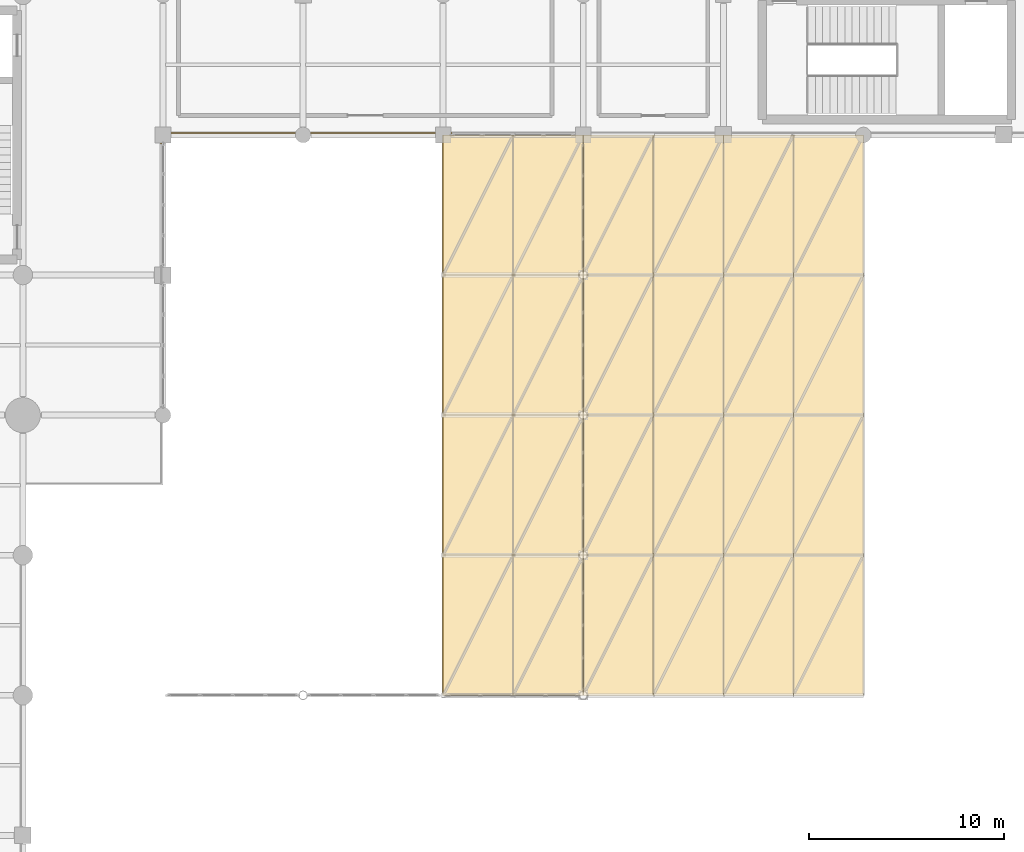
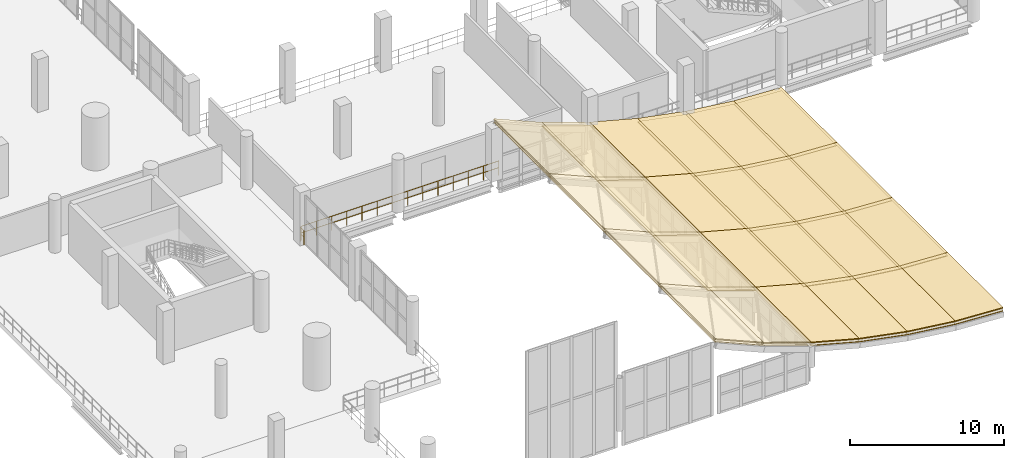
# One storey, part 150 of 153: 48 coverings, 1 railing.
"""IFC4 building model written with IfcOpenShell, lengths in metres."""

from ifc_helpers import new_model, si_unit, direction, frame, origin, origin_2d, place, context, subcontext, project, spatial, polyline, circle, outline, extrude, material, layer, layer_set, type_object, element, save


model = new_model("IFC4")

# Units and contexts
model_context = context("Model", 3, precision=1e-05, world=origin(), true_north=direction((0.0, 1.0)))
body_context = subcontext(model_context, "Body", "Model", "MODEL_VIEW")
ifc_project = project(units=[si_unit("LENGTHUNIT", "METRE"), si_unit("AREAUNIT", "SQUARE_METRE"), si_unit("VOLUMEUNIT", "CUBIC_METRE"), si_unit("PLANEANGLEUNIT", "RADIAN"), si_unit("MASSUNIT", "GRAM", prefix="KILO")], contexts=[model_context])

# Site, building, storey
site_placement = place(None, origin())
site = spatial("IfcSite", under=ifc_project, at=site_placement, CompositionType="ELEMENT")
building_placement = place(site_placement, origin())
building = spatial("IfcBuilding", under=site, at=building_placement, Name="Qandorah Velis Arena", CompositionType="ELEMENT")
storey_placement = place(building_placement, frame((0.0, 0.0, 5.39990234375)))
storey = spatial("IfcBuildingStorey", under=building, at=storey_placement, Name="L01", CompositionType="ELEMENT", Elevation=5.39990234375)

# Coverings
ifc_material_1 = material(Name="Glulam GL28h", Category="wood")
ifc_layer_1 = layer(ifc_material_1, 0.06494140625)
ifc_layer_set_1 = layer_set([ifc_layer_1], Name="Glulam GL28h")
covering_type_1 = type_object("IfcCoveringType", Name="ARC-COV-GLULAM", PredefinedType="CEILING", material=ifc_layer_set_1)
covering_1_placement = place(storey_placement, frame((136.800048828125, 14.39990234375, 4.451171875), z_axis=(0.395745125901, 0.0, 0.918360384231), x_axis=(0.918360384231, 0.0, -0.395745125901)))
element("IfcCovering", 1, at=covering_1_placement, inside=storey, type_object=covering_type_1, Name="Sweeping canopy Glulam GL28h acoustic soffit 1.07", PredefinedType="CEILING", context=body_context, shape_type="SweptSolid", body=[
    extrude(outline(polyline([(0.0, 0.0), (3.919870213736963, 0.0), (3.919870213736963, 7.2001953125), (0.0, 7.2001953125), (0.0, 0.0)])), origin(), (0.0, 0.0, -1.0), 0.06494140625),
])
covering_2_placement = place(storey_placement, frame((140.39990234375, 14.39990234375, 2.89990234375), z_axis=(0.327088553181, 0.0, 0.944993692242), x_axis=(0.944993692242, 0.0, -0.327088553181)))
element("IfcCovering", 2, at=covering_2_placement, inside=storey, type_object=covering_type_1, Name="Sweeping canopy Glulam GL28h acoustic soffit 1.08", PredefinedType="CEILING", context=body_context, shape_type="SweptSolid", body=[
    extrude(outline(polyline([(0.0, 0.0), (3.8096525784283544, 0.0), (3.8096525784283544, 7.200195312500002), (0.0, 7.200195312500002), (0.0, 0.0)])), origin(), (0.0, 0.0, -1.0), 0.06494140625),
])
covering_3_placement = place(storey_placement, frame((144.0, 14.39990234375, 1.65380859375), z_axis=(0.258441360862, 0.0, 0.966026947344), x_axis=(0.966026947344, 0.0, -0.258441360862)))
element("IfcCovering", 3, at=covering_3_placement, inside=storey, type_object=covering_type_1, Name="Sweeping canopy Glulam GL28h acoustic soffit 1.09", PredefinedType="CEILING", context=body_context, shape_type="SweptSolid", body=[
    extrude(outline(polyline([(0.0, 0.0), (3.726705208531025, 0.0), (3.726705208531025, 7.200195312500002), (0.0, 7.200195312500002), (0.0, 0.0)])), origin(), (0.0, 0.0, -1.0), 0.06494140625),
])
covering_4_placement = place(storey_placement, frame((147.60009765625, 14.39990234375, 0.690673828125), z_axis=(0.189901824186, 0.0, 0.981803084723), x_axis=(0.981803084723, 0.0, -0.189901824186)))
element("IfcCovering", 4, at=covering_4_placement, inside=storey, type_object=covering_type_1, Name="Sweeping canopy Glulam GL28h acoustic soffit 1.10", PredefinedType="CEILING", context=body_context, shape_type="SweptSolid", body=[
    extrude(outline(polyline([(0.0, 0.0), (3.6665738493196622, 0.0), (3.6665738493196622, 7.200195312500002), (0.0, 7.200195312500002), (0.0, 0.0)])), origin(), (0.0, 0.0, -1.0), 0.06494140625),
])
covering_5_placement = place(storey_placement, frame((151.199951171875, 14.39990234375, -0.005615234375), z_axis=(0.121233945212, 0.0, 0.992623962298), x_axis=(0.992623962298, 0.0, -0.121233945212)))
element("IfcCovering", 5, at=covering_5_placement, inside=storey, type_object=covering_type_1, Name="Sweeping canopy Glulam GL28h acoustic soffit 1.11", PredefinedType="CEILING", context=body_context, shape_type="SweptSolid", body=[
    extrude(outline(polyline([(0.0, 0.0), (3.6268494344175424, 0.0), (3.6268494344175424, 7.200195312500002), (0.0, 7.200195312500002), (0.0, 0.0)])), origin(), (0.0, 0.0, -1.0), 0.06494140625),
])
covering_6_placement = place(storey_placement, frame((154.800048828125, 14.39990234375, -0.4453125), z_axis=(0.0526228169, 0.0, 0.99861445971), x_axis=(0.99861445971, 0.0, -0.0526228169)))
element("IfcCovering", 6, at=covering_6_placement, inside=storey, type_object=covering_type_1, Name="Sweeping canopy Glulam GL28h acoustic soffit 1.12", PredefinedType="CEILING", context=body_context, shape_type="SweptSolid", body=[
    extrude(outline(polyline([(0.0, 0.0), (3.6048481780157227, 0.0), (3.6048481780157227, 7.2001953125), (0.0, 7.2001953125), (0.0, 0.0)])), origin(), (0.0, 0.0, -1.0), 0.06494140625),
])
covering_7_placement = place(storey_placement, frame((136.800048828125, 21.60009765625, 4.451171875), z_axis=(0.395745125901, 0.0, 0.918360384231), x_axis=(0.918360384231, 0.0, -0.395745125901)))
element("IfcCovering", 7, at=covering_7_placement, inside=storey, type_object=covering_type_1, Name="Sweeping canopy Glulam GL28h acoustic soffit 2.07", PredefinedType="CEILING", context=body_context, shape_type="SweptSolid", body=[
    extrude(outline(polyline([(0.0, 0.0), (3.919870213736963, 0.0), (3.919870213736963, 7.199951171875), (0.0, 7.199951171875), (0.0, 0.0)])), origin(), (0.0, 0.0, -1.0), 0.06494140625),
])
covering_8_placement = place(storey_placement, frame((140.39990234375, 21.60009765625, 2.89990234375), z_axis=(0.327088553181, 0.0, 0.944993692242), x_axis=(0.944993692242, 0.0, -0.327088553181)))
element("IfcCovering", 8, at=covering_8_placement, inside=storey, type_object=covering_type_1, Name="Sweeping canopy Glulam GL28h acoustic soffit 2.08", PredefinedType="CEILING", context=body_context, shape_type="SweptSolid", body=[
    extrude(outline(polyline([(0.0, 0.0), (3.8096525784283544, 0.0), (3.8096525784283544, 7.199951171875), (0.0, 7.199951171875), (0.0, 0.0)])), origin(), (0.0, 0.0, -1.0), 0.06494140625),
])
covering_9_placement = place(storey_placement, frame((144.0, 21.60009765625, 1.65380859375), z_axis=(0.258441360862, 0.0, 0.966026947344), x_axis=(0.966026947344, 0.0, -0.258441360862)))
element("IfcCovering", 9, at=covering_9_placement, inside=storey, type_object=covering_type_1, Name="Sweeping canopy Glulam GL28h acoustic soffit 2.09", PredefinedType="CEILING", context=body_context, shape_type="SweptSolid", body=[
    extrude(outline(polyline([(0.0, 0.0), (3.726705208531025, 0.0), (3.726705208531025, 7.199951171875), (0.0, 7.199951171875), (0.0, 0.0)])), origin(), (0.0, 0.0, -1.0), 0.06494140625),
])
covering_10_placement = place(storey_placement, frame((147.60009765625, 21.60009765625, 0.690673828125), z_axis=(0.189901824186, 0.0, 0.981803084723), x_axis=(0.981803084723, 0.0, -0.189901824186)))
element("IfcCovering", 10, at=covering_10_placement, inside=storey, type_object=covering_type_1, Name="Sweeping canopy Glulam GL28h acoustic soffit 2.10", PredefinedType="CEILING", context=body_context, shape_type="SweptSolid", body=[
    extrude(outline(polyline([(0.0, 0.0), (3.6665738493196622, 0.0), (3.6665738493196622, 7.199951171875), (0.0, 7.199951171875), (0.0, 0.0)])), origin(), (0.0, 0.0, -1.0), 0.06494140625),
])
covering_11_placement = place(storey_placement, frame((151.199951171875, 21.60009765625, -0.005615234375), z_axis=(0.121233945212, 0.0, 0.992623962298), x_axis=(0.992623962298, 0.0, -0.121233945212)))
element("IfcCovering", 11, at=covering_11_placement, inside=storey, type_object=covering_type_1, Name="Sweeping canopy Glulam GL28h acoustic soffit 2.11", PredefinedType="CEILING", context=body_context, shape_type="SweptSolid", body=[
    extrude(outline(polyline([(0.0, 0.0), (3.6268494344175424, 0.0), (3.6268494344175424, 7.199951171875), (0.0, 7.199951171875), (0.0, 0.0)])), origin(), (0.0, 0.0, -1.0), 0.06494140625),
])
covering_12_placement = place(storey_placement, frame((154.800048828125, 21.60009765625, -0.4453125), z_axis=(0.0526228169, 0.0, 0.99861445971), x_axis=(0.99861445971, 0.0, -0.0526228169)))
element("IfcCovering", 12, at=covering_12_placement, inside=storey, type_object=covering_type_1, Name="Sweeping canopy Glulam GL28h acoustic soffit 2.12", PredefinedType="CEILING", context=body_context, shape_type="SweptSolid", body=[
    extrude(outline(polyline([(0.0, 0.0), (3.6048481780157227, 0.0), (3.6048481780157227, 7.199951171874999), (0.0, 7.199951171874999), (0.0, 0.0)])), origin(), (0.0, 0.0, -1.0), 0.06494140625),
])
covering_13_placement = place(storey_placement, frame((136.800048828125, 28.800048828125, 4.451171875), z_axis=(0.395745125901, 0.0, 0.918360384231), x_axis=(0.918360384231, 0.0, -0.395745125901)))
element("IfcCovering", 13, at=covering_13_placement, inside=storey, type_object=covering_type_1, Name="Sweeping canopy Glulam GL28h acoustic soffit 3.07", PredefinedType="CEILING", context=body_context, shape_type="SweptSolid", body=[
    extrude(outline(polyline([(0.0, 0.0), (3.919870213736963, 0.0), (3.919870213736963, 7.199951171875), (0.0, 7.199951171875), (0.0, 0.0)])), origin(), (0.0, 0.0, -1.0), 0.06494140625),
])
covering_14_placement = place(storey_placement, frame((140.39990234375, 28.800048828125, 2.89990234375), z_axis=(0.327088553181, 0.0, 0.944993692242), x_axis=(0.944993692242, 0.0, -0.327088553181)))
element("IfcCovering", 14, at=covering_14_placement, inside=storey, type_object=covering_type_1, Name="Sweeping canopy Glulam GL28h acoustic soffit 3.08", PredefinedType="CEILING", context=body_context, shape_type="SweptSolid", body=[
    extrude(outline(polyline([(0.0, 0.0), (3.8096525784283544, 0.0), (3.8096525784283544, 7.199951171875), (0.0, 7.199951171875), (0.0, 0.0)])), origin(), (0.0, 0.0, -1.0), 0.06494140625),
])
covering_15_placement = place(storey_placement, frame((144.0, 28.800048828125, 1.65380859375), z_axis=(0.258441360862, 0.0, 0.966026947344), x_axis=(0.966026947344, 0.0, -0.258441360862)))
element("IfcCovering", 15, at=covering_15_placement, inside=storey, type_object=covering_type_1, Name="Sweeping canopy Glulam GL28h acoustic soffit 3.09", PredefinedType="CEILING", context=body_context, shape_type="SweptSolid", body=[
    extrude(outline(polyline([(0.0, 0.0), (3.726705208531025, 0.0), (3.726705208531025, 7.199951171875), (0.0, 7.199951171875), (0.0, 0.0)])), origin(), (0.0, 0.0, -1.0), 0.06494140625),
])
covering_16_placement = place(storey_placement, frame((147.60009765625, 28.800048828125, 0.690673828125), z_axis=(0.189901824186, 0.0, 0.981803084723), x_axis=(0.981803084723, 0.0, -0.189901824186)))
element("IfcCovering", 16, at=covering_16_placement, inside=storey, type_object=covering_type_1, Name="Sweeping canopy Glulam GL28h acoustic soffit 3.10", PredefinedType="CEILING", context=body_context, shape_type="SweptSolid", body=[
    extrude(outline(polyline([(0.0, 0.0), (3.6665738493196622, 0.0), (3.6665738493196622, 7.199951171875), (0.0, 7.199951171875), (0.0, 0.0)])), origin(), (0.0, 0.0, -1.0), 0.06494140625),
])
covering_17_placement = place(storey_placement, frame((151.199951171875, 28.800048828125, -0.005615234375), z_axis=(0.121233945212, 0.0, 0.992623962298), x_axis=(0.992623962298, 0.0, -0.121233945212)))
element("IfcCovering", 17, at=covering_17_placement, inside=storey, type_object=covering_type_1, Name="Sweeping canopy Glulam GL28h acoustic soffit 3.11", PredefinedType="CEILING", context=body_context, shape_type="SweptSolid", body=[
    extrude(outline(polyline([(0.0, 0.0), (3.6268494344175424, 0.0), (3.6268494344175424, 7.199951171875), (0.0, 7.199951171875), (0.0, 0.0)])), origin(), (0.0, 0.0, -1.0), 0.06494140625),
])
covering_18_placement = place(storey_placement, frame((154.800048828125, 28.800048828125, -0.4453125), z_axis=(0.0526228169, 0.0, 0.99861445971), x_axis=(0.99861445971, 0.0, -0.0526228169)))
element("IfcCovering", 18, at=covering_18_placement, inside=storey, type_object=covering_type_1, Name="Sweeping canopy Glulam GL28h acoustic soffit 3.12", PredefinedType="CEILING", context=body_context, shape_type="SweptSolid", body=[
    extrude(outline(polyline([(0.0, 0.0), (3.6048481780157227, 0.0), (3.6048481780157227, 7.199951171874999), (0.0, 7.199951171874999), (0.0, 0.0)])), origin(), (0.0, 0.0, -1.0), 0.06494140625),
])
covering_19_placement = place(storey_placement, frame((136.800048828125, 36.0, 4.451171875), z_axis=(0.395745125901, 0.0, 0.918360384231), x_axis=(0.918360384231, 0.0, -0.395745125901)))
element("IfcCovering", 19, at=covering_19_placement, inside=storey, type_object=covering_type_1, Name="Sweeping canopy Glulam GL28h acoustic soffit 4.07", PredefinedType="CEILING", context=body_context, shape_type="SweptSolid", body=[
    extrude(outline(polyline([(0.0, 0.0), (3.919870213736963, 0.0), (3.919870213736963, 7.199951171875), (0.0, 7.199951171875), (0.0, 0.0)])), origin(), (0.0, 0.0, -1.0), 0.06494140625),
])
covering_20_placement = place(storey_placement, frame((140.39990234375, 36.0, 2.89990234375), z_axis=(0.327088553181, 0.0, 0.944993692242), x_axis=(0.944993692242, 0.0, -0.327088553181)))
element("IfcCovering", 20, at=covering_20_placement, inside=storey, type_object=covering_type_1, Name="Sweeping canopy Glulam GL28h acoustic soffit 4.08", PredefinedType="CEILING", context=body_context, shape_type="SweptSolid", body=[
    extrude(outline(polyline([(0.0, 0.0), (3.8096525784283544, 0.0), (3.8096525784283544, 7.199951171875), (0.0, 7.199951171875), (0.0, 0.0)])), origin(), (0.0, 0.0, -1.0), 0.06494140625),
])
covering_21_placement = place(storey_placement, frame((144.0, 36.0, 1.65380859375), z_axis=(0.258441360862, 0.0, 0.966026947344), x_axis=(0.966026947344, 0.0, -0.258441360862)))
element("IfcCovering", 21, at=covering_21_placement, inside=storey, type_object=covering_type_1, Name="Sweeping canopy Glulam GL28h acoustic soffit 4.09", PredefinedType="CEILING", context=body_context, shape_type="SweptSolid", body=[
    extrude(outline(polyline([(0.0, 0.0), (3.726705208531025, 0.0), (3.726705208531025, 7.199951171875), (0.0, 7.199951171875), (0.0, 0.0)])), origin(), (0.0, 0.0, -1.0), 0.06494140625),
])
covering_22_placement = place(storey_placement, frame((147.60009765625, 36.0, 0.690673828125), z_axis=(0.189901824186, 0.0, 0.981803084723), x_axis=(0.981803084723, 0.0, -0.189901824186)))
element("IfcCovering", 22, at=covering_22_placement, inside=storey, type_object=covering_type_1, Name="Sweeping canopy Glulam GL28h acoustic soffit 4.10", PredefinedType="CEILING", context=body_context, shape_type="SweptSolid", body=[
    extrude(outline(polyline([(0.0, 0.0), (3.6665738493196622, 0.0), (3.6665738493196622, 7.199951171875), (0.0, 7.199951171875), (0.0, 0.0)])), origin(), (0.0, 0.0, -1.0), 0.06494140625),
])
covering_23_placement = place(storey_placement, frame((151.199951171875, 36.0, -0.005615234375), z_axis=(0.121233945212, 0.0, 0.992623962298), x_axis=(0.992623962298, 0.0, -0.121233945212)))
element("IfcCovering", 23, at=covering_23_placement, inside=storey, type_object=covering_type_1, Name="Sweeping canopy Glulam GL28h acoustic soffit 4.11", PredefinedType="CEILING", context=body_context, shape_type="SweptSolid", body=[
    extrude(outline(polyline([(0.0, 0.0), (3.6268494344175424, 0.0), (3.6268494344175424, 7.199951171875), (0.0, 7.199951171875), (0.0, 0.0)])), origin(), (0.0, 0.0, -1.0), 0.06494140625),
])
covering_24_placement = place(storey_placement, frame((154.800048828125, 36.0, -0.4453125), z_axis=(0.0526228169, 0.0, 0.99861445971), x_axis=(0.99861445971, 0.0, -0.0526228169)))
element("IfcCovering", 24, at=covering_24_placement, inside=storey, type_object=covering_type_1, Name="Sweeping canopy Glulam GL28h acoustic soffit 4.12", PredefinedType="CEILING", context=body_context, shape_type="SweptSolid", body=[
    extrude(outline(polyline([(0.0, 0.0), (3.6048481780157227, 0.0), (3.6048481780157227, 7.199951171874999), (0.0, 7.199951171874999), (0.0, 0.0)])), origin(), (0.0, 0.0, -1.0), 0.06494140625),
])
ifc_material_2 = material(Name="Insulated high-albedo standing-seam aluminium roofing", Category="aluminium")
ifc_layer_2 = layer(ifc_material_2, 0.080078125)
ifc_layer_set_2 = layer_set([ifc_layer_2], Name="Insulated high-albedo standing-seam aluminium roofing")
covering_type_2 = type_object("IfcCoveringType", Name="ARC-COV-ROOF", PredefinedType="ROOFING", material=ifc_layer_set_2)
covering_25_placement = place(storey_placement, frame((136.800048828125, 14.39990234375, 4.696044921875), z_axis=(0.395692595501, 0.0, 0.918383019151), x_axis=(0.918383019151, 0.0, -0.395692595501)))
element("IfcCovering", 25, at=covering_25_placement, inside=storey, type_object=covering_type_2, Name="Sweeping canopy standing-seam roof 1.07", PredefinedType="ROOFING", context=body_context, shape_type="SweptSolid", body=[
    extrude(outline(polyline([(0.0, 0.0), (3.9197736026869086, 0.0), (3.9197736026869086, 7.200195312500002), (0.0, 7.200195312500002), (0.0, 0.0)])), origin(), (0.0, 0.0, -1.0), 0.074951171875),
])
covering_26_placement = place(storey_placement, frame((140.39990234375, 14.39990234375, 3.14501953125), z_axis=(0.327145779899, 0.0, 0.944973882546), x_axis=(0.944973882546, 0.0, -0.327145779899)))
element("IfcCovering", 26, at=covering_26_placement, inside=storey, type_object=covering_type_2, Name="Sweeping canopy standing-seam roof 1.08", PredefinedType="ROOFING", context=body_context, shape_type="SweptSolid", body=[
    extrude(outline(polyline([(0.0, 0.0), (3.809732441017915, 0.0), (3.809732441017915, 7.2001953125), (0.0, 7.2001953125), (0.0, 0.0)])), origin(), (0.0, 0.0, -1.0), 0.074951171875),
])
covering_27_placement = place(storey_placement, frame((144.0, 14.39990234375, 1.898681640625), z_axis=(0.258441360862, 0.0, 0.966026947344), x_axis=(0.966026947344, 0.0, -0.258441360862)))
element("IfcCovering", 27, at=covering_27_placement, inside=storey, type_object=covering_type_2, Name="Sweeping canopy standing-seam roof 1.09", PredefinedType="ROOFING", context=body_context, shape_type="SweptSolid", body=[
    extrude(outline(polyline([(0.0, 0.0), (3.726705208531025, 0.0), (3.726705208531025, 7.200195312500002), (0.0, 7.200195312500002), (0.0, 0.0)])), origin(), (0.0, 0.0, -1.0), 0.074951171875),
])
covering_28_placement = place(storey_placement, frame((147.60009765625, 14.39990234375, 0.935546875), z_axis=(0.18983763873, 0.0, 0.981815497393), x_axis=(0.981815497393, 0.0, -0.18983763873)))
element("IfcCovering", 28, at=covering_28_placement, inside=storey, type_object=covering_type_2, Name="Sweeping canopy standing-seam roof 1.10", PredefinedType="ROOFING", context=body_context, shape_type="SweptSolid", body=[
    extrude(outline(polyline([(0.0, 0.0), (3.666527494404706, 0.0), (3.666527494404706, 7.2001953125), (0.0, 7.2001953125), (0.0, 0.0)])), origin(), (0.0, 0.0, -1.0), 0.074951171875),
])
covering_29_placement = place(storey_placement, frame((151.199951171875, 14.39990234375, 0.239501953125), z_axis=(0.121233945212, 0.0, 0.992623962298), x_axis=(0.992623962298, 0.0, -0.121233945212)))
element("IfcCovering", 29, at=covering_29_placement, inside=storey, type_object=covering_type_2, Name="Sweeping canopy standing-seam roof 1.11", PredefinedType="ROOFING", context=body_context, shape_type="SweptSolid", body=[
    extrude(outline(polyline([(0.0, 0.0), (3.6268494344175424, 0.0), (3.6268494344175424, 7.200195312500002), (0.0, 7.200195312500002), (0.0, 0.0)])), origin(), (0.0, 0.0, -1.0), 0.074951171875),
])
covering_30_placement = place(storey_placement, frame((154.800048828125, 14.39990234375, -0.2001953125), z_axis=(0.0526228169, 0.0, 0.99861445971), x_axis=(0.99861445971, 0.0, -0.0526228169)))
element("IfcCovering", 30, at=covering_30_placement, inside=storey, type_object=covering_type_2, Name="Sweeping canopy standing-seam roof 1.12", PredefinedType="ROOFING", context=body_context, shape_type="SweptSolid", body=[
    extrude(outline(polyline([(0.0, 0.0), (3.6048481780157227, 0.0), (3.6048481780157227, 7.2001953125), (0.0, 7.2001953125), (0.0, 0.0)])), origin(), (0.0, 0.0, -1.0), 0.074951171875),
])
covering_31_placement = place(storey_placement, frame((136.800048828125, 21.60009765625, 4.696044921875), z_axis=(0.395692595501, 0.0, 0.918383019151), x_axis=(0.918383019151, 0.0, -0.395692595501)))
element("IfcCovering", 31, at=covering_31_placement, inside=storey, type_object=covering_type_2, Name="Sweeping canopy standing-seam roof 2.07", PredefinedType="ROOFING", context=body_context, shape_type="SweptSolid", body=[
    extrude(outline(polyline([(0.0, 0.0), (3.9197736026869086, 0.0), (3.9197736026869086, 7.199951171875), (0.0, 7.199951171875), (0.0, 0.0)])), origin(), (0.0, 0.0, -1.0), 0.074951171875),
])
covering_32_placement = place(storey_placement, frame((140.39990234375, 21.60009765625, 3.14501953125), z_axis=(0.327145779899, 0.0, 0.944973882546), x_axis=(0.944973882546, 0.0, -0.327145779899)))
element("IfcCovering", 32, at=covering_32_placement, inside=storey, type_object=covering_type_2, Name="Sweeping canopy standing-seam roof 2.08", PredefinedType="ROOFING", context=body_context, shape_type="SweptSolid", body=[
    extrude(outline(polyline([(0.0, 0.0), (3.809732441017915, 0.0), (3.809732441017915, 7.199951171875), (0.0, 7.199951171875), (0.0, 0.0)])), origin(), (0.0, 0.0, -1.0), 0.074951171875),
])
covering_33_placement = place(storey_placement, frame((144.0, 21.60009765625, 1.898681640625), z_axis=(0.258441360862, 0.0, 0.966026947344), x_axis=(0.966026947344, 0.0, -0.258441360862)))
element("IfcCovering", 33, at=covering_33_placement, inside=storey, type_object=covering_type_2, Name="Sweeping canopy standing-seam roof 2.09", PredefinedType="ROOFING", context=body_context, shape_type="SweptSolid", body=[
    extrude(outline(polyline([(0.0, 0.0), (3.726705208531025, 0.0), (3.726705208531025, 7.199951171875), (0.0, 7.199951171875), (0.0, 0.0)])), origin(), (0.0, 0.0, -1.0), 0.074951171875),
])
covering_34_placement = place(storey_placement, frame((147.60009765625, 21.60009765625, 0.935546875), z_axis=(0.18983763873, 0.0, 0.981815497393), x_axis=(0.981815497393, 0.0, -0.18983763873)))
element("IfcCovering", 34, at=covering_34_placement, inside=storey, type_object=covering_type_2, Name="Sweeping canopy standing-seam roof 2.10", PredefinedType="ROOFING", context=body_context, shape_type="SweptSolid", body=[
    extrude(outline(polyline([(0.0, 0.0), (3.666527494404706, 0.0), (3.666527494404706, 7.199951171875), (0.0, 7.199951171875), (0.0, 0.0)])), origin(), (0.0, 0.0, -1.0), 0.074951171875),
])
covering_35_placement = place(storey_placement, frame((151.199951171875, 21.60009765625, 0.239501953125), z_axis=(0.121233945212, 0.0, 0.992623962298), x_axis=(0.992623962298, 0.0, -0.121233945212)))
element("IfcCovering", 35, at=covering_35_placement, inside=storey, type_object=covering_type_2, Name="Sweeping canopy standing-seam roof 2.11", PredefinedType="ROOFING", context=body_context, shape_type="SweptSolid", body=[
    extrude(outline(polyline([(0.0, 0.0), (3.6268494344175424, 0.0), (3.6268494344175424, 7.199951171875), (0.0, 7.199951171875), (0.0, 0.0)])), origin(), (0.0, 0.0, -1.0), 0.074951171875),
])
covering_36_placement = place(storey_placement, frame((154.800048828125, 21.60009765625, -0.2001953125), z_axis=(0.0526228169, 0.0, 0.99861445971), x_axis=(0.99861445971, 0.0, -0.0526228169)))
element("IfcCovering", 36, at=covering_36_placement, inside=storey, type_object=covering_type_2, Name="Sweeping canopy standing-seam roof 2.12", PredefinedType="ROOFING", context=body_context, shape_type="SweptSolid", body=[
    extrude(outline(polyline([(0.0, 0.0), (3.6048481780157227, 0.0), (3.6048481780157227, 7.199951171874999), (0.0, 7.199951171874999), (0.0, 0.0)])), origin(), (0.0, 0.0, -1.0), 0.074951171875),
])
covering_37_placement = place(storey_placement, frame((136.800048828125, 28.800048828125, 4.696044921875), z_axis=(0.395692595501, 0.0, 0.918383019151), x_axis=(0.918383019151, 0.0, -0.395692595501)))
element("IfcCovering", 37, at=covering_37_placement, inside=storey, type_object=covering_type_2, Name="Sweeping canopy standing-seam roof 3.07", PredefinedType="ROOFING", context=body_context, shape_type="SweptSolid", body=[
    extrude(outline(polyline([(0.0, 0.0), (3.9197736026869086, 0.0), (3.9197736026869086, 7.199951171875), (0.0, 7.199951171875), (0.0, 0.0)])), origin(), (0.0, 0.0, -1.0), 0.074951171875),
])
covering_38_placement = place(storey_placement, frame((140.39990234375, 28.800048828125, 3.14501953125), z_axis=(0.327145779899, 0.0, 0.944973882546), x_axis=(0.944973882546, 0.0, -0.327145779899)))
element("IfcCovering", 38, at=covering_38_placement, inside=storey, type_object=covering_type_2, Name="Sweeping canopy standing-seam roof 3.08", PredefinedType="ROOFING", context=body_context, shape_type="SweptSolid", body=[
    extrude(outline(polyline([(0.0, 0.0), (3.809732441017915, 0.0), (3.809732441017915, 7.199951171875), (0.0, 7.199951171875), (0.0, 0.0)])), origin(), (0.0, 0.0, -1.0), 0.074951171875),
])
covering_39_placement = place(storey_placement, frame((144.0, 28.800048828125, 1.898681640625), z_axis=(0.258441360862, 0.0, 0.966026947344), x_axis=(0.966026947344, 0.0, -0.258441360862)))
element("IfcCovering", 39, at=covering_39_placement, inside=storey, type_object=covering_type_2, Name="Sweeping canopy standing-seam roof 3.09", PredefinedType="ROOFING", context=body_context, shape_type="SweptSolid", body=[
    extrude(outline(polyline([(0.0, 0.0), (3.726705208531025, 0.0), (3.726705208531025, 7.199951171875), (0.0, 7.199951171875), (0.0, 0.0)])), origin(), (0.0, 0.0, -1.0), 0.074951171875),
])
covering_40_placement = place(storey_placement, frame((147.60009765625, 28.800048828125, 0.935546875), z_axis=(0.18983763873, 0.0, 0.981815497393), x_axis=(0.981815497393, 0.0, -0.18983763873)))
element("IfcCovering", 40, at=covering_40_placement, inside=storey, type_object=covering_type_2, Name="Sweeping canopy standing-seam roof 3.10", PredefinedType="ROOFING", context=body_context, shape_type="SweptSolid", body=[
    extrude(outline(polyline([(0.0, 0.0), (3.666527494404706, 0.0), (3.666527494404706, 7.199951171875), (0.0, 7.199951171875), (0.0, 0.0)])), origin(), (0.0, 0.0, -1.0), 0.074951171875),
])
covering_41_placement = place(storey_placement, frame((151.199951171875, 28.800048828125, 0.239501953125), z_axis=(0.121233945212, 0.0, 0.992623962298), x_axis=(0.992623962298, 0.0, -0.121233945212)))
element("IfcCovering", 41, at=covering_41_placement, inside=storey, type_object=covering_type_2, Name="Sweeping canopy standing-seam roof 3.11", PredefinedType="ROOFING", context=body_context, shape_type="SweptSolid", body=[
    extrude(outline(polyline([(0.0, 0.0), (3.6268494344175424, 0.0), (3.6268494344175424, 7.199951171875), (0.0, 7.199951171875), (0.0, 0.0)])), origin(), (0.0, 0.0, -1.0), 0.074951171875),
])
covering_42_placement = place(storey_placement, frame((154.800048828125, 28.800048828125, -0.2001953125), z_axis=(0.0526228169, 0.0, 0.99861445971), x_axis=(0.99861445971, 0.0, -0.0526228169)))
element("IfcCovering", 42, at=covering_42_placement, inside=storey, type_object=covering_type_2, Name="Sweeping canopy standing-seam roof 3.12", PredefinedType="ROOFING", context=body_context, shape_type="SweptSolid", body=[
    extrude(outline(polyline([(0.0, 0.0), (3.6048481780157227, 0.0), (3.6048481780157227, 7.199951171874999), (0.0, 7.199951171874999), (0.0, 0.0)])), origin(), (0.0, 0.0, -1.0), 0.074951171875),
])
covering_43_placement = place(storey_placement, frame((136.800048828125, 36.0, 4.696044921875), z_axis=(0.395692595501, 0.0, 0.918383019151), x_axis=(0.918383019151, 0.0, -0.395692595501)))
element("IfcCovering", 43, at=covering_43_placement, inside=storey, type_object=covering_type_2, Name="Sweeping canopy standing-seam roof 4.07", PredefinedType="ROOFING", context=body_context, shape_type="SweptSolid", body=[
    extrude(outline(polyline([(0.0, 0.0), (3.9197736026869086, 0.0), (3.9197736026869086, 7.199951171875), (0.0, 7.199951171875), (0.0, 0.0)])), origin(), (0.0, 0.0, -1.0), 0.074951171875),
])
covering_44_placement = place(storey_placement, frame((140.39990234375, 36.0, 3.14501953125), z_axis=(0.327145779899, 0.0, 0.944973882546), x_axis=(0.944973882546, 0.0, -0.327145779899)))
element("IfcCovering", 44, at=covering_44_placement, inside=storey, type_object=covering_type_2, Name="Sweeping canopy standing-seam roof 4.08", PredefinedType="ROOFING", context=body_context, shape_type="SweptSolid", body=[
    extrude(outline(polyline([(0.0, 0.0), (3.809732441017915, 0.0), (3.809732441017915, 7.199951171875), (0.0, 7.199951171875), (0.0, 0.0)])), origin(), (0.0, 0.0, -1.0), 0.074951171875),
])
covering_45_placement = place(storey_placement, frame((144.0, 36.0, 1.898681640625), z_axis=(0.258441360862, 0.0, 0.966026947344), x_axis=(0.966026947344, 0.0, -0.258441360862)))
element("IfcCovering", 45, at=covering_45_placement, inside=storey, type_object=covering_type_2, Name="Sweeping canopy standing-seam roof 4.09", PredefinedType="ROOFING", context=body_context, shape_type="SweptSolid", body=[
    extrude(outline(polyline([(0.0, 0.0), (3.726705208531025, 0.0), (3.726705208531025, 7.199951171875), (0.0, 7.199951171875), (0.0, 0.0)])), origin(), (0.0, 0.0, -1.0), 0.074951171875),
])
covering_46_placement = place(storey_placement, frame((147.60009765625, 36.0, 0.935546875), z_axis=(0.18983763873, 0.0, 0.981815497393), x_axis=(0.981815497393, 0.0, -0.18983763873)))
element("IfcCovering", 46, at=covering_46_placement, inside=storey, type_object=covering_type_2, Name="Sweeping canopy standing-seam roof 4.10", PredefinedType="ROOFING", context=body_context, shape_type="SweptSolid", body=[
    extrude(outline(polyline([(0.0, 0.0), (3.666527494404706, 0.0), (3.666527494404706, 7.199951171875), (0.0, 7.199951171875), (0.0, 0.0)])), origin(), (0.0, 0.0, -1.0), 0.074951171875),
])
covering_47_placement = place(storey_placement, frame((151.199951171875, 36.0, 0.239501953125), z_axis=(0.121233945212, 0.0, 0.992623962298), x_axis=(0.992623962298, 0.0, -0.121233945212)))
element("IfcCovering", 47, at=covering_47_placement, inside=storey, type_object=covering_type_2, Name="Sweeping canopy standing-seam roof 4.11", PredefinedType="ROOFING", context=body_context, shape_type="SweptSolid", body=[
    extrude(outline(polyline([(0.0, 0.0), (3.6268494344175424, 0.0), (3.6268494344175424, 7.199951171875), (0.0, 7.199951171875), (0.0, 0.0)])), origin(), (0.0, 0.0, -1.0), 0.074951171875),
])
covering_48_placement = place(storey_placement, frame((154.800048828125, 36.0, -0.2001953125), z_axis=(0.0526228169, 0.0, 0.99861445971), x_axis=(0.99861445971, 0.0, -0.0526228169)))
element("IfcCovering", 48, at=covering_48_placement, inside=storey, type_object=covering_type_2, Name="Sweeping canopy standing-seam roof 4.12", PredefinedType="ROOFING", context=body_context, shape_type="SweptSolid", body=[
    extrude(outline(polyline([(0.0, 0.0), (3.6048481780157227, 0.0), (3.6048481780157227, 7.199951171874999), (0.0, 7.199951171874999), (0.0, 0.0)])), origin(), (0.0, 0.0, -1.0), 0.074951171875),
])

# Railing
ifc_material_3 = material(Name="Stainless steel 316", Category="steel")
railing_type = type_object("IfcRailingType", Name="ARC-RL-GRD1150", PredefinedType="GUARDRAIL", material=ifc_material_3)
railing_placement = place(storey_placement, frame((137.22509765625, 43.300048828125, 0.0)))
element("IfcRailing", 49, at=railing_placement, inside=storey, type_object=railing_type, Name="Slab edge safety guardrail L01-123", PredefinedType="GUARDRAIL", context=body_context, shape_type="SweptSolid", body=[
    extrude(circle(Radius=0.02392578125, at=origin_2d()), frame((0.0, 0.0, 1.1259765625), z_axis=(-1.0, 0.0, 0.0), x_axis=(0.0, -1.0, 0.0)), (0.0, 0.0, 1.0), 14.8251953125),
    extrude(circle(Radius=0.02392578125, at=origin_2d()), frame((0.0, 0.0, 0.597900390625), z_axis=(-1.0, 0.0, 0.0), x_axis=(0.0, -1.0, 0.0)), (0.0, 0.0, 1.0), 14.8251953125),
    extrude(circle(Radius=0.02392578125, at=origin_2d()), frame((-14.8251953125, 0.0, 1.1259765625), z_axis=(-0.77215252196, -0.635437237523, 0.0), x_axis=(0.635437237523, -0.77215252196, 0.0)), (0.0, 0.0, 1.0), 0.126708984375),
    extrude(circle(Radius=0.02392578125, at=origin_2d()), frame((-14.8251953125, 0.0, 0.597900390625), z_axis=(-0.77215252196, -0.635437237523, 0.0), x_axis=(0.635437237523, -0.77215252196, 0.0)), (0.0, 0.0, 1.0), 0.126708984375),
    extrude(circle(Radius=0.02392578125, at=origin_2d()), frame((-14.923095703125, -0.08056640625, 1.1259765625), z_axis=(-0.004393148161, -0.999990350078, 0.0), x_axis=(0.999990350078, -0.004393148161, 0.0)), (0.0, 0.0, 1.0), 0.444580078125),
    extrude(circle(Radius=0.02392578125, at=origin_2d()), frame((-14.923095703125, -0.08056640625, 0.597900390625), z_axis=(-0.004393148161, -0.999990350078, 0.0), x_axis=(0.999990350078, -0.004393148161, 0.0)), (0.0, 0.0, 1.0), 0.444580078125),
    extrude(circle(Radius=0.02099609375, at=origin_2d()), origin(), (0.0, 0.0, 1.0), 1.101806640625),
    extrude(circle(Radius=0.02099609375, at=origin_2d()), frame((-1.140380859375, 0.0, 0.0)), (0.0, 0.0, 1.0), 1.101806640625),
    extrude(circle(Radius=0.02099609375, at=origin_2d()), frame((-2.28076171875, 0.0, 0.0)), (0.0, 0.0, 1.0), 1.101806640625),
    extrude(circle(Radius=0.02099609375, at=origin_2d()), frame((-3.421142578125, 0.0, 0.0)), (0.0, 0.0, 1.0), 1.101806640625),
    extrude(circle(Radius=0.02099609375, at=origin_2d()), frame((-4.5615234375, 0.0, 0.0)), (0.0, 0.0, 1.0), 1.101806640625),
    extrude(circle(Radius=0.02099609375, at=origin_2d()), frame((-5.701904296875, 0.0, 0.0)), (0.0, 0.0, 1.0), 1.101806640625),
    extrude(circle(Radius=0.02099609375, at=origin_2d()), frame((-6.84228515625, 0.0, 0.0)), (0.0, 0.0, 1.0), 1.101806640625),
    extrude(circle(Radius=0.02099609375, at=origin_2d()), frame((-7.98291015625, 0.0, 0.0)), (0.0, 0.0, 1.0), 1.101806640625),
    extrude(circle(Radius=0.02099609375, at=origin_2d()), frame((-9.123291015625, 0.0, 0.0)), (0.0, 0.0, 1.0), 1.101806640625),
    extrude(circle(Radius=0.02099609375, at=origin_2d()), frame((-10.263671875, 0.0, 0.0)), (0.0, 0.0, 1.0), 1.101806640625),
    extrude(circle(Radius=0.02099609375, at=origin_2d()), frame((-11.404052734375, 0.0, 0.0)), (0.0, 0.0, 1.0), 1.101806640625),
    extrude(circle(Radius=0.02099609375, at=origin_2d()), frame((-12.54443359375, 0.0, 0.0)), (0.0, 0.0, 1.0), 1.101806640625),
    extrude(circle(Radius=0.02099609375, at=origin_2d()), frame((-13.684814453125, 0.0, 0.0)), (0.0, 0.0, 1.0), 1.101806640625),
    extrude(circle(Radius=0.02099609375, at=origin_2d()), frame((-14.8251953125, 0.0, 0.0)), (0.0, 0.0, 1.0), 1.101806640625),
    extrude(circle(Radius=0.02099609375, at=origin_2d()), frame((-14.923095703125, -0.08056640625, 0.0)), (0.0, 0.0, 1.0), 1.101806640625),
    extrude(circle(Radius=0.02099609375, at=origin_2d()), frame((-14.925048828125, -0.525146484375, 0.0)), (0.0, 0.0, 1.0), 1.101806640625),
])

save(model, "model.ifc")
